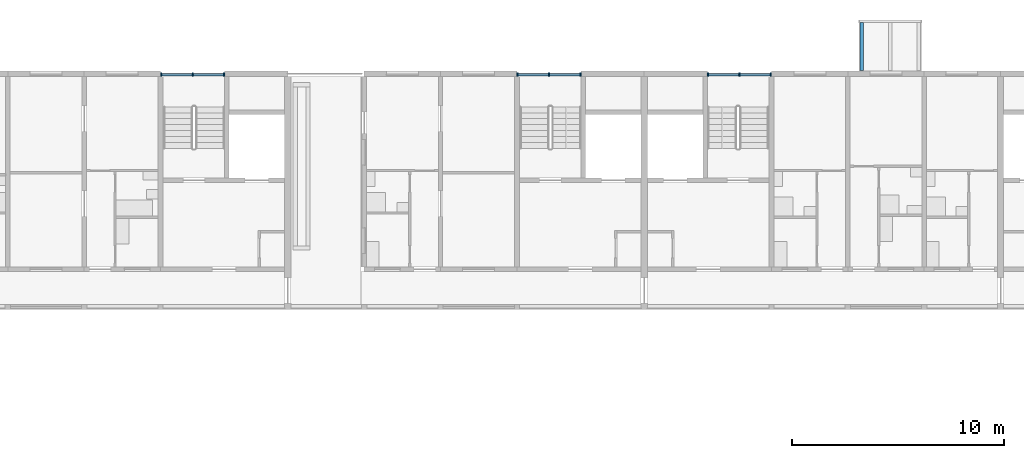
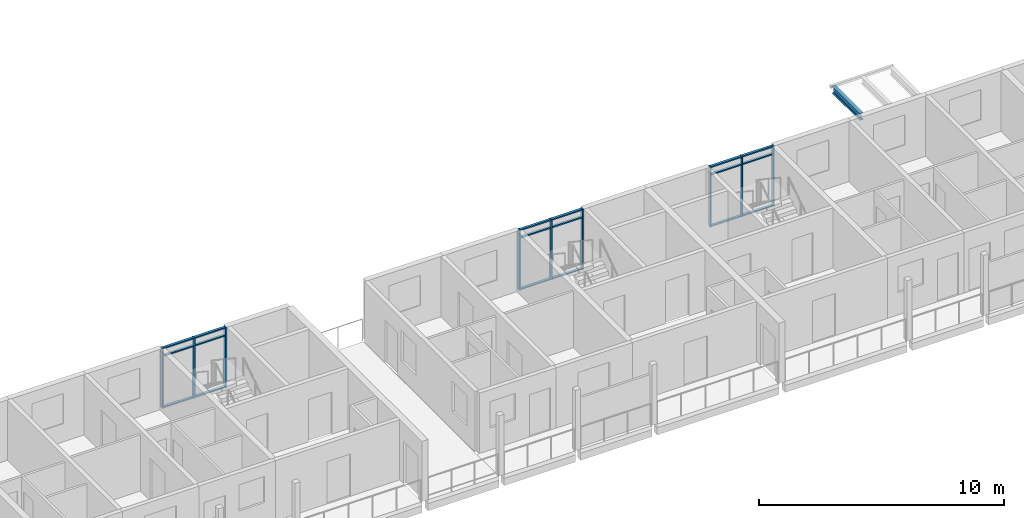
# One storey, part 20 of 94: 27 members, 1 beam, 3 elements without a shape of their own.
"""IFC4 building model written with IfcOpenShell, lengths in metres."""

from ifc_helpers import new_model, si_unit, direction, frame, origin, origin_2d, place, context, subcontext, project, spatial, rectangle, i_section, extrude, material, material_profile, profile_set, type_object, element, aggregate, save


model = new_model("IFC4")

# Units and contexts
model_context = context("Model", 3, precision=1e-05, world=origin(), true_north=direction((0.0, 1.0)))
body_context = subcontext(model_context, "Body", "Model", "MODEL_VIEW")
ifc_project = project(units=[si_unit("LENGTHUNIT", "METRE"), si_unit("AREAUNIT", "SQUARE_METRE"), si_unit("VOLUMEUNIT", "CUBIC_METRE"), si_unit("PLANEANGLEUNIT", "RADIAN"), si_unit("MASSUNIT", "GRAM", prefix="KILO")], contexts=[model_context])

# Site, building, storey
site_placement = place(None, origin())
site = spatial("IfcSite", under=ifc_project, at=site_placement, CompositionType="ELEMENT")
building_placement = place(site_placement, origin())
building = spatial("IfcBuilding", under=site, at=building_placement, Name="Ridgestep Commons", CompositionType="ELEMENT")
storey_placement = place(building_placement, frame((0.0, 0.0, 21.0)))
storey = spatial("IfcBuildingStorey", under=building, at=storey_placement, Name="L07", CompositionType="ELEMENT", Elevation=21.0)

# Curtain wall, members
ifc_material_1 = material(Name="Aluminium 6063-T6 and glass", Category="aluminium")
curtain_wall_type = type_object("IfcCurtainWallType", Name="Curtain wall stair strip", PredefinedType="NOTDEFINED", material=ifc_material_1)
curtain_wall_1_placement = place(storey_placement, origin())
curtain_wall_1 = element("IfcCurtainWall", 1, at=curtain_wall_1_placement, inside=storey, type_object=curtain_wall_type, Name="Curtain wall C1C level 07", PredefinedType="NOTDEFINED")
ifc_material_2 = material(Name="Aluminium 6063-T6", Category="aluminium")
ifc_material_profile_1 = material_profile(ifc_material_2, rectangle(XDim=0.159912109375, YDim=0.06005859375, at=origin_2d()), Name="Mullion 60 x 160")
ifc_profile_set_1 = profile_set([ifc_material_profile_1], Name="Aluminium 6063-T6")
member_type_1 = type_object("IfcMemberType", Name="Mullion 60 x 160", PredefinedType="MULLION", material=ifc_profile_set_1)
member_1_placement = place(storey_placement, frame((157.6298828125, 77.080078125, 0.0), z_axis=(0.0, 0.0, 1.0), x_axis=(0.0, 1.0, 0.0)))
member_1 = element("IfcMember", 2, at=member_1_placement, type_object=member_type_1, Name="CW1 mullion 1", PredefinedType="MULLION", context=body_context, shape_type="SweptSolid", body=[
    extrude(rectangle(XDim=0.159912109375, YDim=0.06005859375, at=origin_2d()), origin(), (0.0, 0.0, 1.0), 3.0),
])
member_2_placement = place(storey_placement, frame((159.112548828125, 77.080078125, 0.0), z_axis=(0.0, 0.0, 1.0), x_axis=(0.0, 1.0, 0.0)))
member_2 = element("IfcMember", 3, at=member_2_placement, type_object=member_type_1, Name="CW1 mullion 2", PredefinedType="MULLION", context=body_context, shape_type="SweptSolid", body=[
    extrude(rectangle(XDim=0.159912109375, YDim=0.06005859375, at=origin_2d()), origin(), (0.0, 0.0, 1.0), 3.0),
])
member_3_placement = place(storey_placement, frame((160.594970703125, 77.080078125, 0.0), z_axis=(0.0, 0.0, 1.0), x_axis=(0.0, 1.0, 0.0)))
member_3 = element("IfcMember", 4, at=member_3_placement, type_object=member_type_1, Name="CW1 mullion 3", PredefinedType="MULLION", context=body_context, shape_type="SweptSolid", body=[
    extrude(rectangle(XDim=0.159912109375, YDim=0.06005859375, at=origin_2d()), origin(), (0.0, 0.0, 1.0), 3.0),
])

curtain_wall_2_placement = place(storey_placement, origin())
curtain_wall_2 = element("IfcCurtainWall", 5, at=curtain_wall_2_placement, inside=storey, type_object=curtain_wall_type, Name="Curtain wall C2C level 07", PredefinedType="NOTDEFINED")
member_4_placement = place(storey_placement, frame((174.429931640625, 77.080078125, 0.0), z_axis=(0.0, 0.0, 1.0), x_axis=(0.0, 1.0, 0.0)))
member_4 = element("IfcMember", 6, at=member_4_placement, type_object=member_type_1, Name="CW1 mullion 1", PredefinedType="MULLION", context=body_context, shape_type="SweptSolid", body=[
    extrude(rectangle(XDim=0.159912109375, YDim=0.06005859375, at=origin_2d()), origin(), (0.0, 0.0, 1.0), 3.0),
])
member_5_placement = place(storey_placement, frame((175.91259765625, 77.080078125, 0.0), z_axis=(0.0, 0.0, 1.0), x_axis=(0.0, 1.0, 0.0)))
member_5 = element("IfcMember", 7, at=member_5_placement, type_object=member_type_1, Name="CW1 mullion 2", PredefinedType="MULLION", context=body_context, shape_type="SweptSolid", body=[
    extrude(rectangle(XDim=0.159912109375, YDim=0.06005859375, at=origin_2d()), origin(), (0.0, 0.0, 1.0), 3.0),
])
member_6_placement = place(storey_placement, frame((177.39501953125, 77.080078125, 0.0), z_axis=(0.0, 0.0, 1.0), x_axis=(0.0, 1.0, 0.0)))
member_6 = element("IfcMember", 8, at=member_6_placement, type_object=member_type_1, Name="CW1 mullion 3", PredefinedType="MULLION", context=body_context, shape_type="SweptSolid", body=[
    extrude(rectangle(XDim=0.159912109375, YDim=0.06005859375, at=origin_2d()), origin(), (0.0, 0.0, 1.0), 3.0),
])

curtain_wall_3_placement = place(storey_placement, origin())
curtain_wall_3 = element("IfcCurtainWall", 9, at=curtain_wall_3_placement, inside=storey, type_object=curtain_wall_type, Name="Curtain wall C3C level 07", PredefinedType="NOTDEFINED")
member_7_placement = place(storey_placement, frame((183.405029296875, 77.080078125, 0.0), z_axis=(0.0, 0.0, 1.0), x_axis=(0.0, 1.0, 0.0)))
member_7 = element("IfcMember", 10, at=member_7_placement, type_object=member_type_1, Name="CW1 mullion 1", PredefinedType="MULLION", context=body_context, shape_type="SweptSolid", body=[
    extrude(rectangle(XDim=0.159912109375, YDim=0.06005859375, at=origin_2d()), origin(), (0.0, 0.0, 1.0), 3.0),
])
member_8_placement = place(storey_placement, frame((184.887451171875, 77.080078125, 0.0), z_axis=(0.0, 0.0, 1.0), x_axis=(0.0, 1.0, 0.0)))
member_8 = element("IfcMember", 11, at=member_8_placement, type_object=member_type_1, Name="CW1 mullion 2", PredefinedType="MULLION", context=body_context, shape_type="SweptSolid", body=[
    extrude(rectangle(XDim=0.159912109375, YDim=0.06005859375, at=origin_2d()), origin(), (0.0, 0.0, 1.0), 3.0),
])
member_9_placement = place(storey_placement, frame((186.3701171875, 77.080078125, 0.0), z_axis=(0.0, 0.0, 1.0), x_axis=(0.0, 1.0, 0.0)))
member_9 = element("IfcMember", 12, at=member_9_placement, type_object=member_type_1, Name="CW1 mullion 3", PredefinedType="MULLION", context=body_context, shape_type="SweptSolid", body=[
    extrude(rectangle(XDim=0.159912109375, YDim=0.06005859375, at=origin_2d()), origin(), (0.0, 0.0, 1.0), 3.0),
])

# Member
ifc_material_3 = material(Name="Aluminium 6063-T6", Category="aluminium")
ifc_material_profile_2 = material_profile(ifc_material_3, rectangle(XDim=0.1201171875, YDim=0.06005859375, at=origin_2d()), Name="Transom 60 x 120")
ifc_profile_set_2 = profile_set([ifc_material_profile_2], Name="Aluminium 6063-T6")
member_type_2 = type_object("IfcMemberType", Name="Transom 60 x 120", PredefinedType="USERDEFINED", material=ifc_profile_set_2)
member_10_placement = place(storey_placement, frame((157.659912109375, 77.080078125, 0.030029296875), z_axis=(1.0, 0.0, 0.0), x_axis=(0.0, 1.0, 0.0)))
member_10 = element("IfcMember", 13, at=member_10_placement, type_object=member_type_2, Name="CW1 transom 1.1", ObjectType="TRANSOM", PredefinedType="USERDEFINED", context=body_context, shape_type="SweptSolid", body=[
    extrude(rectangle(XDim=0.1201171875, YDim=0.06005859375, at=origin_2d()), origin(), (0.0, 0.0, 1.0), 1.422607421875),
])

member_11_placement = place(storey_placement, frame((157.659912109375, 77.080078125, 2.590087890625), z_axis=(1.0, 0.0, 0.0), x_axis=(0.0, 1.0, 0.0)))
member_11 = element("IfcMember", 14, at=member_11_placement, type_object=member_type_2, Name="CW1 transom 1.2", ObjectType="TRANSOM", PredefinedType="USERDEFINED", context=body_context, shape_type="SweptSolid", body=[
    extrude(rectangle(XDim=0.1201171875, YDim=0.06005859375, at=origin_2d()), origin(), (0.0, 0.0, 1.0), 1.422607421875),
])

member_12_placement = place(storey_placement, frame((157.659912109375, 77.080078125, 2.969970703125), z_axis=(1.0, 0.0, 0.0), x_axis=(0.0, 1.0, 0.0)))
member_12 = element("IfcMember", 15, at=member_12_placement, type_object=member_type_2, Name="CW1 transom 1.3", ObjectType="TRANSOM", PredefinedType="USERDEFINED", context=body_context, shape_type="SweptSolid", body=[
    extrude(rectangle(XDim=0.1201171875, YDim=0.06005859375, at=origin_2d()), origin(), (0.0, 0.0, 1.0), 1.422607421875),
])

member_13_placement = place(storey_placement, frame((159.142578125, 77.080078125, 0.030029296875), z_axis=(1.0, 0.0, 0.0), x_axis=(0.0, 1.0, 0.0)))
member_13 = element("IfcMember", 16, at=member_13_placement, type_object=member_type_2, Name="CW1 transom 2.1", ObjectType="TRANSOM", PredefinedType="USERDEFINED", context=body_context, shape_type="SweptSolid", body=[
    extrude(rectangle(XDim=0.1201171875, YDim=0.06005859375, at=origin_2d()), origin(), (0.0, 0.0, 1.0), 1.42236328125),
])

member_14_placement = place(storey_placement, frame((159.142578125, 77.080078125, 2.590087890625), z_axis=(1.0, 0.0, 0.0), x_axis=(0.0, 1.0, 0.0)))
member_14 = element("IfcMember", 17, at=member_14_placement, type_object=member_type_2, Name="CW1 transom 2.2", ObjectType="TRANSOM", PredefinedType="USERDEFINED", context=body_context, shape_type="SweptSolid", body=[
    extrude(rectangle(XDim=0.1201171875, YDim=0.06005859375, at=origin_2d()), origin(), (0.0, 0.0, 1.0), 1.42236328125),
])

member_15_placement = place(storey_placement, frame((159.142578125, 77.080078125, 2.969970703125), z_axis=(1.0, 0.0, 0.0), x_axis=(0.0, 1.0, 0.0)))
member_15 = element("IfcMember", 18, at=member_15_placement, type_object=member_type_2, Name="CW1 transom 2.3", ObjectType="TRANSOM", PredefinedType="USERDEFINED", context=body_context, shape_type="SweptSolid", body=[
    extrude(rectangle(XDim=0.1201171875, YDim=0.06005859375, at=origin_2d()), origin(), (0.0, 0.0, 1.0), 1.42236328125),
])

aggregate(curtain_wall_1, [member_1, member_2, member_3, member_10, member_11, member_12, member_13, member_14, member_15])

member_16_placement = place(storey_placement, frame((174.4599609375, 77.080078125, 0.030029296875), z_axis=(1.0, 0.0, 0.0), x_axis=(0.0, 1.0, 0.0)))
member_16 = element("IfcMember", 19, at=member_16_placement, type_object=member_type_2, Name="CW1 transom 1.1", ObjectType="TRANSOM", PredefinedType="USERDEFINED", context=body_context, shape_type="SweptSolid", body=[
    extrude(rectangle(XDim=0.1201171875, YDim=0.06005859375, at=origin_2d()), origin(), (0.0, 0.0, 1.0), 1.422607421875),
])

member_17_placement = place(storey_placement, frame((174.4599609375, 77.080078125, 2.590087890625), z_axis=(1.0, 0.0, 0.0), x_axis=(0.0, 1.0, 0.0)))
member_17 = element("IfcMember", 20, at=member_17_placement, type_object=member_type_2, Name="CW1 transom 1.2", ObjectType="TRANSOM", PredefinedType="USERDEFINED", context=body_context, shape_type="SweptSolid", body=[
    extrude(rectangle(XDim=0.1201171875, YDim=0.06005859375, at=origin_2d()), origin(), (0.0, 0.0, 1.0), 1.422607421875),
])

member_18_placement = place(storey_placement, frame((174.4599609375, 77.080078125, 2.969970703125), z_axis=(1.0, 0.0, 0.0), x_axis=(0.0, 1.0, 0.0)))
member_18 = element("IfcMember", 21, at=member_18_placement, type_object=member_type_2, Name="CW1 transom 1.3", ObjectType="TRANSOM", PredefinedType="USERDEFINED", context=body_context, shape_type="SweptSolid", body=[
    extrude(rectangle(XDim=0.1201171875, YDim=0.06005859375, at=origin_2d()), origin(), (0.0, 0.0, 1.0), 1.422607421875),
])

member_19_placement = place(storey_placement, frame((175.9423828125, 77.080078125, 0.030029296875), z_axis=(1.0, 0.0, 0.0), x_axis=(0.0, 1.0, 0.0)))
member_19 = element("IfcMember", 22, at=member_19_placement, type_object=member_type_2, Name="CW1 transom 2.1", ObjectType="TRANSOM", PredefinedType="USERDEFINED", context=body_context, shape_type="SweptSolid", body=[
    extrude(rectangle(XDim=0.1201171875, YDim=0.06005859375, at=origin_2d()), origin(), (0.0, 0.0, 1.0), 1.422607421875),
])

member_20_placement = place(storey_placement, frame((175.9423828125, 77.080078125, 2.590087890625), z_axis=(1.0, 0.0, 0.0), x_axis=(0.0, 1.0, 0.0)))
member_20 = element("IfcMember", 23, at=member_20_placement, type_object=member_type_2, Name="CW1 transom 2.2", ObjectType="TRANSOM", PredefinedType="USERDEFINED", context=body_context, shape_type="SweptSolid", body=[
    extrude(rectangle(XDim=0.1201171875, YDim=0.06005859375, at=origin_2d()), origin(), (0.0, 0.0, 1.0), 1.422607421875),
])

member_21_placement = place(storey_placement, frame((175.9423828125, 77.080078125, 2.969970703125), z_axis=(1.0, 0.0, 0.0), x_axis=(0.0, 1.0, 0.0)))
member_21 = element("IfcMember", 24, at=member_21_placement, type_object=member_type_2, Name="CW1 transom 2.3", ObjectType="TRANSOM", PredefinedType="USERDEFINED", context=body_context, shape_type="SweptSolid", body=[
    extrude(rectangle(XDim=0.1201171875, YDim=0.06005859375, at=origin_2d()), origin(), (0.0, 0.0, 1.0), 1.422607421875),
])

aggregate(curtain_wall_2, [member_4, member_5, member_6, member_16, member_17, member_18, member_19, member_20, member_21])

member_22_placement = place(storey_placement, frame((183.43505859375, 77.080078125, 0.030029296875), z_axis=(1.0, 0.0, 0.0), x_axis=(0.0, 1.0, 0.0)))
member_22 = element("IfcMember", 25, at=member_22_placement, type_object=member_type_2, Name="CW1 transom 1.1", ObjectType="TRANSOM", PredefinedType="USERDEFINED", context=body_context, shape_type="SweptSolid", body=[
    extrude(rectangle(XDim=0.1201171875, YDim=0.06005859375, at=origin_2d()), origin(), (0.0, 0.0, 1.0), 1.42236328125),
])

member_23_placement = place(storey_placement, frame((183.43505859375, 77.080078125, 2.590087890625), z_axis=(1.0, 0.0, 0.0), x_axis=(0.0, 1.0, 0.0)))
member_23 = element("IfcMember", 26, at=member_23_placement, type_object=member_type_2, Name="CW1 transom 1.2", ObjectType="TRANSOM", PredefinedType="USERDEFINED", context=body_context, shape_type="SweptSolid", body=[
    extrude(rectangle(XDim=0.1201171875, YDim=0.06005859375, at=origin_2d()), origin(), (0.0, 0.0, 1.0), 1.42236328125),
])

member_24_placement = place(storey_placement, frame((183.43505859375, 77.080078125, 2.969970703125), z_axis=(1.0, 0.0, 0.0), x_axis=(0.0, 1.0, 0.0)))
member_24 = element("IfcMember", 27, at=member_24_placement, type_object=member_type_2, Name="CW1 transom 1.3", ObjectType="TRANSOM", PredefinedType="USERDEFINED", context=body_context, shape_type="SweptSolid", body=[
    extrude(rectangle(XDim=0.1201171875, YDim=0.06005859375, at=origin_2d()), origin(), (0.0, 0.0, 1.0), 1.42236328125),
])

member_25_placement = place(storey_placement, frame((184.91748046875, 77.080078125, 0.030029296875), z_axis=(1.0, 0.0, 0.0), x_axis=(0.0, 1.0, 0.0)))
member_25 = element("IfcMember", 28, at=member_25_placement, type_object=member_type_2, Name="CW1 transom 2.1", ObjectType="TRANSOM", PredefinedType="USERDEFINED", context=body_context, shape_type="SweptSolid", body=[
    extrude(rectangle(XDim=0.1201171875, YDim=0.06005859375, at=origin_2d()), origin(), (0.0, 0.0, 1.0), 1.422607421875),
])

member_26_placement = place(storey_placement, frame((184.91748046875, 77.080078125, 2.590087890625), z_axis=(1.0, 0.0, 0.0), x_axis=(0.0, 1.0, 0.0)))
member_26 = element("IfcMember", 29, at=member_26_placement, type_object=member_type_2, Name="CW1 transom 2.2", ObjectType="TRANSOM", PredefinedType="USERDEFINED", context=body_context, shape_type="SweptSolid", body=[
    extrude(rectangle(XDim=0.1201171875, YDim=0.06005859375, at=origin_2d()), origin(), (0.0, 0.0, 1.0), 1.422607421875),
])

member_27_placement = place(storey_placement, frame((184.91748046875, 77.080078125, 2.969970703125), z_axis=(1.0, 0.0, 0.0), x_axis=(0.0, 1.0, 0.0)))
member_27 = element("IfcMember", 30, at=member_27_placement, type_object=member_type_2, Name="CW1 transom 2.3", ObjectType="TRANSOM", PredefinedType="USERDEFINED", context=body_context, shape_type="SweptSolid", body=[
    extrude(rectangle(XDim=0.1201171875, YDim=0.06005859375, at=origin_2d()), origin(), (0.0, 0.0, 1.0), 1.422607421875),
])

aggregate(curtain_wall_3, [member_7, member_8, member_9, member_22, member_23, member_24, member_25, member_26, member_27])

# Beam
ifc_material_4 = material(Name="Weathering steel S355J2W", Category="steel")
ifc_material_profile_3 = material_profile(ifc_material_4, i_section(OverallWidth=0.171142578125, OverallDepth=0.351318359375, WebThickness=0.007080078125, FlangeThickness=0.009765625, FilletRadius=0.01025390625, at=origin_2d()), Name="UB 356x171x45")
ifc_profile_set_3 = profile_set([ifc_material_profile_3], Name="Weathering steel S355J2W")
beam_type = type_object("IfcBeamType", Name="Tray arm UB 356x171x45", PredefinedType="BEAM", material=ifc_profile_set_3)
beam_placement = place(storey_placement, frame((190.64990234375, 77.264892578125, 2.814208984375), z_axis=(0.0, 1.0, 0.0), x_axis=(-1.0, 0.0, 0.0)))
element("IfcBeam", 31, at=beam_placement, inside=storey, type_object=beam_type, Name="Tray arm C3T2-08.1", PredefinedType="BEAM", context=body_context, shape_type="SweptSolid", body=[
    extrude(i_section(OverallWidth=0.171142578125, OverallDepth=0.351318359375, WebThickness=0.007080078125, FlangeThickness=0.009765625, FilletRadius=0.01025390625, at=origin_2d()), origin(), (0.0, 0.0, 1.0), 2.26513671875),
])

save(model, "model.ifc")
